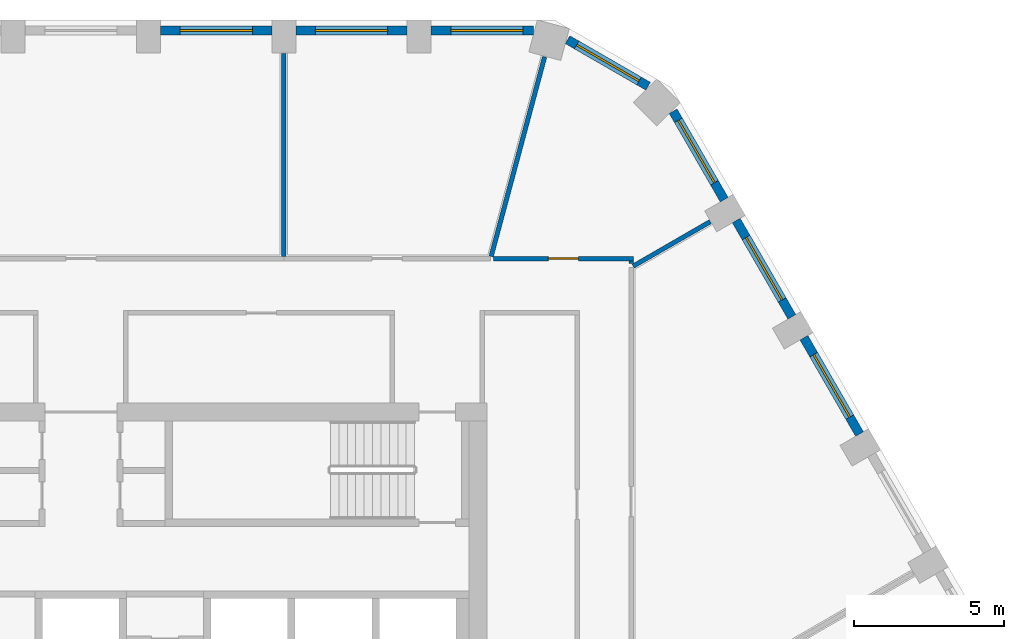
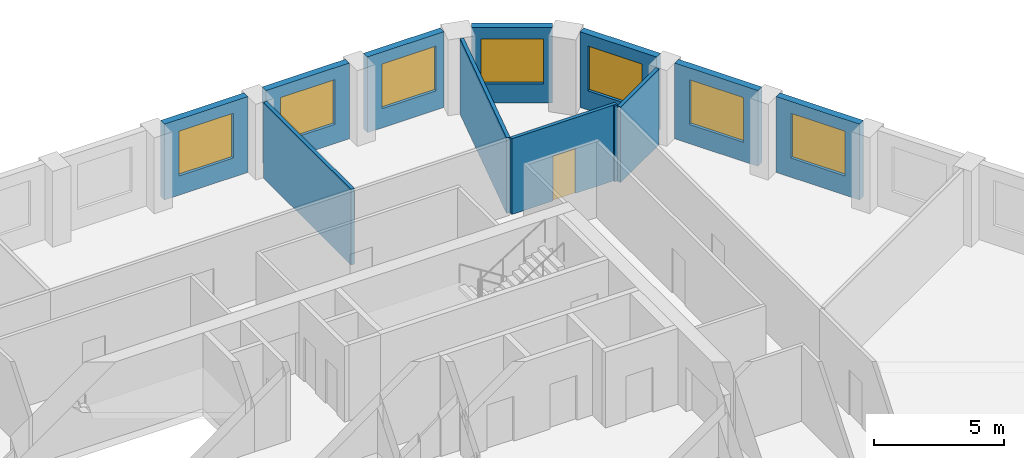
# One storey, part 7 of 13: 12 walls, 7 windows, 1 door, 8 openings.
"""IFC4 building model written with IfcOpenShell, lengths in metres."""

from ifc_helpers import new_model, si_unit, direction, frame, frame_2d, origin, place, context, subcontext, project, spatial, rectangle, extrude, material, layer, layer_set, type_object, element, fill, save


model = new_model("IFC4")

# Units and contexts
model_context = context("Model", 3, precision=1e-05, world=origin(), true_north=direction((0.0, 1.0)))
body_context = subcontext(model_context, "Body", "Model", "MODEL_VIEW")
ifc_project = project(units=[si_unit("LENGTHUNIT", "METRE"), si_unit("AREAUNIT", "SQUARE_METRE"), si_unit("VOLUMEUNIT", "CUBIC_METRE"), si_unit("PLANEANGLEUNIT", "RADIAN"), si_unit("MASSUNIT", "GRAM", prefix="KILO")], contexts=[model_context])

# Site, building, storey
site_placement = place(None, origin())
site = spatial("IfcSite", under=ifc_project, at=site_placement, CompositionType="ELEMENT")
building_placement = place(site_placement, origin())
building = spatial("IfcBuilding", under=site, at=building_placement, Name="Dhurran Vertical Campus", CompositionType="ELEMENT")
storey_placement = place(building_placement, frame((0.0, 0.0, 187.800048828125)))
storey = spatial("IfcBuildingStorey", under=building, at=storey_placement, Name="L46", CompositionType="ELEMENT", Elevation=187.800048828125)

# Wall, opening, window
ifc_material_1 = material(Name="Precast concrete C50/60", Category="concrete")
ifc_layer_1 = layer(ifc_material_1, 0.300048828125)
ifc_layer_set_1 = layer_set([ifc_layer_1], Name="Precast concrete C50/60")
wall_type_1 = type_object("IfcWallType", Name="Precast spandrel wall 300", PredefinedType="SOLIDWALL", material=ifc_layer_set_1)
wall_1_placement = place(storey_placement, frame((25.893798828125, 10.216064453125, 0.0), z_axis=(0.0, 0.0, 1.0), x_axis=(-0.500029062817, 0.866008623709, 0.0)))
wall_1 = element("IfcWall", 1, at=wall_1_placement, inside=storey, type_object=wall_type_1, Name="EW1 L46.16", PredefinedType="SOLIDWALL", context=body_context, shape_type="SweptSolid", body=[
    extrude(rectangle(XDim=3.698974609375, YDim=0.300048828125, at=frame_2d((1.849609375, 0.0))), origin(), (0.0, 0.0, 1.0), 3.550048828125),
])
opening_1_placement = place(wall_1_placement, frame((0.6494140625, 0.0, 0.89990234375)))
opening_1 = element("IfcOpeningElement", 2, at=opening_1_placement, cuts=wall_1, Name="Opening WT1", PredefinedType="OPENING", context=body_context, shape_type="SweptSolid", body=[
    extrude(rectangle(XDim=2.39990234375, YDim=2.10009765625, at=frame_2d((1.199951171875, 1.050048828125))), frame((0.0, 0.159912109375, 0.0), z_axis=(0.0, -1.0, 0.0), x_axis=(1.0, 0.0, 0.0)), (0.0, 0.0, 1.0), 0.320068359375),
])
ifc_material_2 = material(Name="Aluminium frame with solar-control glass", Category="aluminium")
window_type = type_object("IfcWindowType", Name="Punched window 2400 x 2100", PartitioningType="SINGLE_PANEL", PredefinedType="WINDOW", material=ifc_material_2)
window_1_placement = place(opening_1_placement, origin())
window_1 = element("IfcWindow", 3, at=window_1_placement, inside=storey, type_object=window_type, Name="WT1 L46.16", OverallHeight=2.10009765625, OverallWidth=2.39990234375, PartitioningType="SINGLE_PANEL", PredefinedType="WINDOW", context=body_context, shape_type="SweptSolid", body=[
    extrude(rectangle(XDim=2.39990234375, YDim=2.10009765625, at=frame_2d((1.199951171875, 1.050048828125))), frame((0.0, 0.030029296875, 0.0), z_axis=(0.0, -1.0, 0.0), x_axis=(1.0, 0.0, 0.0)), (0.0, 0.0, 1.0), 0.06005859375),
])
fill(opening_1, window_1)

wall_2_placement = place(storey_placement, frame((23.643798828125, 14.11328125, 0.0), z_axis=(0.0, 0.0, 1.0), x_axis=(-0.500029062817, 0.866008623709, 0.0)))
wall_2 = element("IfcWall", 4, at=wall_2_placement, inside=storey, type_object=wall_type_1, Name="EW1 L46.17", PredefinedType="SOLIDWALL", context=body_context, shape_type="SweptSolid", body=[
    extrude(rectangle(XDim=3.698974609375, YDim=0.300048828125, at=frame_2d((1.849609375, 0.0))), origin(), (0.0, 0.0, 1.0), 3.550048828125),
])
opening_2_placement = place(wall_2_placement, frame((0.6494140625, 0.0, 0.89990234375)))
opening_2 = element("IfcOpeningElement", 5, at=opening_2_placement, cuts=wall_2, Name="Opening WT1", PredefinedType="OPENING", context=body_context, shape_type="SweptSolid", body=[
    extrude(rectangle(XDim=2.39990234375, YDim=2.10009765625, at=frame_2d((1.199951171875, 1.050048828125))), frame((0.0, 0.159912109375, 0.0), z_axis=(0.0, -1.0, 0.0), x_axis=(1.0, 0.0, 0.0)), (0.0, 0.0, 1.0), 0.320068359375),
])
window_2_placement = place(opening_2_placement, origin())
window_2 = element("IfcWindow", 6, at=window_2_placement, inside=storey, type_object=window_type, Name="WT1 L46.17", OverallHeight=2.10009765625, OverallWidth=2.39990234375, PartitioningType="SINGLE_PANEL", PredefinedType="WINDOW", context=body_context, shape_type="SweptSolid", body=[
    extrude(rectangle(XDim=2.39990234375, YDim=2.10009765625, at=frame_2d((1.199951171875, 1.050048828125))), frame((0.0, 0.030029296875, 0.0), z_axis=(0.0, -1.0, 0.0), x_axis=(1.0, 0.0, 0.0)), (0.0, 0.0, 1.0), 0.06005859375),
])
fill(opening_2, window_2)

wall_3_placement = place(storey_placement, frame((21.393798828125, 18.01025390625, 0.0), z_axis=(0.0, 0.0, 1.0), x_axis=(-0.500012868213, 0.866017974191, 0.0)))
wall_3 = element("IfcWall", 7, at=wall_3_placement, inside=storey, type_object=wall_type_1, Name="EW1 L46.18", PredefinedType="SOLIDWALL", context=body_context, shape_type="SweptSolid", body=[
    extrude(rectangle(XDim=3.39599609375, YDim=0.300048828125, at=frame_2d((1.697998046875, 0.0))), origin(), (0.0, 0.0, 1.0), 3.550048828125),
])
opening_3_placement = place(wall_3_placement, frame((0.6494140625, 0.0, 0.89990234375)))
opening_3 = element("IfcOpeningElement", 8, at=opening_3_placement, cuts=wall_3, Name="Opening WT1", PredefinedType="OPENING", context=body_context, shape_type="SweptSolid", body=[
    extrude(rectangle(XDim=2.39990234375, YDim=2.10009765625, at=frame_2d((1.199951171875, 1.050048828125))), frame((0.0, 0.159912109375, 0.0), z_axis=(0.0, -1.0, 0.0), x_axis=(1.0, 0.0, 0.0)), (0.0, 0.0, 1.0), 0.320068359375),
])
window_3_placement = place(opening_3_placement, origin())
window_3 = element("IfcWindow", 9, at=window_3_placement, inside=storey, type_object=window_type, Name="WT1 L46.18", OverallHeight=2.10009765625, OverallWidth=2.39990234375, PartitioningType="SINGLE_PANEL", PredefinedType="WINDOW", context=body_context, shape_type="SweptSolid", body=[
    extrude(rectangle(XDim=2.39990234375, YDim=2.10009765625, at=frame_2d((1.199951171875, 1.050048828125))), frame((0.0, 0.030029296875, 0.0), z_axis=(0.0, -1.0, 0.0), x_axis=(1.0, 0.0, 0.0)), (0.0, 0.0, 1.0), 0.06005859375),
])
fill(opening_3, window_3)

wall_4_placement = place(storey_placement, frame((18.86279296875, 21.7841796875, 0.0), z_axis=(0.0, 0.0, 1.0), x_axis=(-0.865994975416, 0.500052699777, 0.0)))
wall_4 = element("IfcWall", 10, at=wall_4_placement, inside=storey, type_object=wall_type_1, Name="EW1 L46.19", PredefinedType="SOLIDWALL", context=body_context, shape_type="SweptSolid", body=[
    extrude(rectangle(XDim=3.093017578125, YDim=0.300048828125, at=frame_2d((1.54638671875, 0.0))), origin(), (0.0, 0.0, 1.0), 3.550048828125),
])
opening_4_placement = place(wall_4_placement, frame((0.34619140625, 0.0, 0.89990234375)))
opening_4 = element("IfcOpeningElement", 11, at=opening_4_placement, cuts=wall_4, Name="Opening WT1", PredefinedType="OPENING", context=body_context, shape_type="SweptSolid", body=[
    extrude(rectangle(XDim=2.39990234375, YDim=2.10009765625, at=frame_2d((1.199951171875, 1.050048828125))), frame((0.0, 0.159912109375, 0.0), z_axis=(0.0, -1.0, 0.0), x_axis=(1.0, 0.0, 0.0)), (0.0, 0.0, 1.0), 0.320068359375),
])
window_4_placement = place(opening_4_placement, origin())
window_4 = element("IfcWindow", 12, at=window_4_placement, inside=storey, type_object=window_type, Name="WT1 L46.19", OverallHeight=2.10009765625, OverallWidth=2.39990234375, PartitioningType="SINGLE_PANEL", PredefinedType="WINDOW", context=body_context, shape_type="SweptSolid", body=[
    extrude(rectangle(XDim=2.39990234375, YDim=2.10009765625, at=frame_2d((1.199951171875, 1.050048828125))), frame((0.0, 0.030029296875, 0.0), z_axis=(0.0, -1.0, 0.0), x_axis=(1.0, 0.0, 0.0)), (0.0, 0.0, 1.0), 0.06005859375),
])
fill(opening_4, window_4)

wall_5_placement = place(storey_placement, frame((15.04638671875, 23.635498046875, 0.0), z_axis=(0.0, 0.0, 1.0), x_axis=(-1.0, 0.0, 0.0)))
wall_5 = element("IfcWall", 13, at=wall_5_placement, inside=storey, type_object=wall_type_1, Name="EW1 L46.20", PredefinedType="SOLIDWALL", context=body_context, shape_type="SweptSolid", body=[
    extrude(rectangle(XDim=3.39599609375, YDim=0.300048828125, at=frame_2d((1.697998046875, 0.0))), origin(), (0.0, 0.0, 1.0), 3.550048828125),
])
opening_5_placement = place(wall_5_placement, frame((0.34619140625, 0.0, 0.89990234375)))
opening_5 = element("IfcOpeningElement", 14, at=opening_5_placement, cuts=wall_5, Name="Opening WT1", PredefinedType="OPENING", context=body_context, shape_type="SweptSolid", body=[
    extrude(rectangle(XDim=2.39990234375, YDim=2.10009765625, at=frame_2d((1.199951171875, 1.050048828125))), frame((0.0, 0.159912109375, 0.0), z_axis=(0.0, -1.0, 0.0), x_axis=(1.0, 0.0, 0.0)), (0.0, 0.0, 1.0), 0.320068359375),
])
window_5_placement = place(opening_5_placement, origin())
window_5 = element("IfcWindow", 15, at=window_5_placement, inside=storey, type_object=window_type, Name="WT1 L46.20", OverallHeight=2.10009765625, OverallWidth=2.39990234375, PartitioningType="SINGLE_PANEL", PredefinedType="WINDOW", context=body_context, shape_type="SweptSolid", body=[
    extrude(rectangle(XDim=2.39990234375, YDim=2.10009765625, at=frame_2d((1.199951171875, 1.050048828125))), frame((0.0, 0.030029296875, 0.0), z_axis=(0.0, -1.0, 0.0), x_axis=(1.0, 0.0, 0.0)), (0.0, 0.0, 1.0), 0.06005859375),
])
fill(opening_5, window_5)

wall_6_placement = place(storey_placement, frame((10.849609375, 23.635498046875, 0.0), z_axis=(0.0, 0.0, 1.0), x_axis=(-1.0, 0.0, 0.0)))
wall_6 = element("IfcWall", 16, at=wall_6_placement, inside=storey, type_object=wall_type_1, Name="EW1 L46.21", PredefinedType="SOLIDWALL", context=body_context, shape_type="SweptSolid", body=[
    extrude(rectangle(XDim=3.69921875, YDim=0.300048828125, at=frame_2d((1.849609375, 0.0))), origin(), (0.0, 0.0, 1.0), 3.550048828125),
])
opening_6_placement = place(wall_6_placement, frame((0.6494140625, 0.0, 0.89990234375)))
opening_6 = element("IfcOpeningElement", 17, at=opening_6_placement, cuts=wall_6, Name="Opening WT1", PredefinedType="OPENING", context=body_context, shape_type="SweptSolid", body=[
    extrude(rectangle(XDim=2.39990234375, YDim=2.10009765625, at=frame_2d((1.199951171875, 1.050048828125))), frame((0.0, 0.159912109375, 0.0), z_axis=(0.0, -1.0, 0.0), x_axis=(1.0, 0.0, 0.0)), (0.0, 0.0, 1.0), 0.320068359375),
])
window_6_placement = place(opening_6_placement, origin())
window_6 = element("IfcWindow", 18, at=window_6_placement, inside=storey, type_object=window_type, Name="WT1 L46.21", OverallHeight=2.10009765625, OverallWidth=2.39990234375, PartitioningType="SINGLE_PANEL", PredefinedType="WINDOW", context=body_context, shape_type="SweptSolid", body=[
    extrude(rectangle(XDim=2.39990234375, YDim=2.10009765625, at=frame_2d((1.199951171875, 1.050048828125))), frame((0.0, 0.030029296875, 0.0), z_axis=(0.0, -1.0, 0.0), x_axis=(1.0, 0.0, 0.0)), (0.0, 0.0, 1.0), 0.06005859375),
])
fill(opening_6, window_6)

wall_7_placement = place(storey_placement, frame((6.349609375, 23.635498046875, 0.0), z_axis=(0.0, 0.0, 1.0), x_axis=(-1.0, 0.0, 0.0)))
wall_7 = element("IfcWall", 19, at=wall_7_placement, inside=storey, type_object=wall_type_1, Name="EW1 L46.22", PredefinedType="SOLIDWALL", context=body_context, shape_type="SweptSolid", body=[
    extrude(rectangle(XDim=3.69921875, YDim=0.300048828125, at=frame_2d((1.849609375, 0.0))), origin(), (0.0, 0.0, 1.0), 3.550048828125),
])
opening_7_placement = place(wall_7_placement, frame((0.6494140625, 0.0, 0.89990234375)))
opening_7 = element("IfcOpeningElement", 20, at=opening_7_placement, cuts=wall_7, Name="Opening WT1", PredefinedType="OPENING", context=body_context, shape_type="SweptSolid", body=[
    extrude(rectangle(XDim=2.39990234375, YDim=2.10009765625, at=frame_2d((1.199951171875, 1.050048828125))), frame((0.0, 0.159912109375, 0.0), z_axis=(0.0, -1.0, 0.0), x_axis=(1.0, 0.0, 0.0)), (0.0, 0.0, 1.0), 0.320068359375),
])
window_7_placement = place(opening_7_placement, origin())
window_7 = element("IfcWindow", 21, at=window_7_placement, inside=storey, type_object=window_type, Name="WT1 L46.22", OverallHeight=2.10009765625, OverallWidth=2.39990234375, PartitioningType="SINGLE_PANEL", PredefinedType="WINDOW", context=body_context, shape_type="SweptSolid", body=[
    extrude(rectangle(XDim=2.39990234375, YDim=2.10009765625, at=frame_2d((1.199951171875, 1.050048828125))), frame((0.0, 0.030029296875, 0.0), z_axis=(0.0, -1.0, 0.0), x_axis=(1.0, 0.0, 0.0)), (0.0, 0.0, 1.0), 0.06005859375),
])
fill(opening_7, window_7)

# Wall, opening, door
ifc_material_3 = material(Name="Gypsum board corridor wall on steel studs", Category="steel")
ifc_layer_2 = layer(ifc_material_3, 0.14990234375)
ifc_layer_set_2 = layer_set([ifc_layer_2], Name="Gypsum board corridor wall on steel studs")
wall_type_2 = type_object("IfcWallType", Name="fl-CW-150 corridor wall", PredefinedType="PARTITIONING", material=ifc_layer_set_2)
wall_8_placement = place(storey_placement, frame((18.375, 16.050048828125, 0.0), z_axis=(0.0, 0.0, 1.0), x_axis=(-1.0, 0.0, 0.0)))
wall_8 = element("IfcWall", 22, at=wall_8_placement, inside=storey, type_object=wall_type_2, Name="Partition 46-53", PredefinedType="PARTITIONING", context=body_context, shape_type="SweptSolid", body=[
    extrude(rectangle(XDim=4.656005859375, YDim=0.14990234375, at=frame_2d((2.328125, 0.0))), origin(), (0.0, 0.0, 1.0), 3.550048828125),
])
opening_8_placement = place(wall_8_placement, frame((1.827880859375, 0.0, 0.0)))
opening_8 = element("IfcOpeningElement", 23, at=opening_8_placement, cuts=wall_8, Name="Opening T13.20", PredefinedType="OPENING", context=body_context, shape_type="SweptSolid", body=[
    extrude(rectangle(XDim=1.0, YDim=2.10009765625, at=frame_2d((0.5, 1.050048828125))), frame((0.0, 0.0849609375, 0.0), z_axis=(0.0, -1.0, 0.0), x_axis=(1.0, 0.0, 0.0)), (0.0, 0.0, 1.0), 0.169921875),
])
ifc_material_4 = material(Name="Solid-core timber door set, fire-rated", Category="wood")
door_type = type_object("IfcDoorType", Name="fl-D-1000x2100", OperationType="SINGLE_SWING_LEFT", PredefinedType="DOOR", material=ifc_material_4)
door_placement = place(opening_8_placement, origin())
door = element("IfcDoor", 24, at=door_placement, inside=storey, type_object=door_type, Name="Door 46.20", OperationType="SINGLE_SWING_RIGHT", OverallHeight=2.10009765625, OverallWidth=1.0, PredefinedType="DOOR", context=body_context, shape_type="SweptSolid", body=[
    extrude(rectangle(XDim=1.0, YDim=2.10009765625, at=frame_2d((0.5, 1.050048828125))), frame((0.0, 0.02490234375, 0.0), z_axis=(0.0, -1.0, 0.0), x_axis=(1.0, 0.0, 0.0)), (0.0, 0.0, 1.0), 0.050048828125),
])
fill(opening_8, door)

# Walls
wall_9_placement = place(storey_placement, frame((18.300048828125, 15.89208984375, 0.0), z_axis=(0.0, 0.0, 1.0), x_axis=(0.0, 1.0, 0.0)))
element("IfcWall", 25, at=wall_9_placement, inside=storey, type_object=wall_type_2, Name="Partition 46-61", PredefinedType="PARTITIONING", context=body_context, shape_type="SweptSolid", body=[
    extrude(rectangle(XDim=0.0830078125, YDim=0.14990234375, at=frame_2d((0.04150390625, 0.0))), origin(), (0.0, 0.0, 1.0), 3.550048828125),
])
ifc_material_5 = material(Name="Gypsum board partition on steel studs", Category="steel")
ifc_layer_3 = layer(ifc_material_5, 0.14990234375)
ifc_layer_set_3 = layer_set([ifc_layer_3], Name="Gypsum board partition on steel studs")
wall_type_3 = type_object("IfcWallType", Name="fl-PW-150 fixed partition", PredefinedType="PARTITIONING", material=ifc_layer_set_3)
wall_10_placement = place(storey_placement, frame((6.75, 22.865478515625, 0.0), z_axis=(0.0, 0.0, 1.0), x_axis=(0.0, -1.0, 0.0)))
element("IfcWall", 26, at=wall_10_placement, inside=storey, type_object=wall_type_3, Name="Partition 46-40", PredefinedType="PARTITIONING", context=body_context, shape_type="SweptSolid", body=[
    extrude(rectangle(XDim=6.740478515625, YDim=0.14990234375, at=frame_2d((3.3701171875, 0.0))), origin(), (0.0, 0.0, 1.0), 3.550048828125),
])
wall_11_placement = place(storey_placement, frame((15.422119140625, 22.76123046875, 0.0), z_axis=(0.0, 0.0, 1.0), x_axis=(-0.258807697684, -0.965928866749, 0.0)))
element("IfcWall", 27, at=wall_11_placement, inside=storey, type_object=wall_type_3, Name="Partition 46-52", PredefinedType="PARTITIONING", context=body_context, shape_type="SweptSolid", body=[
    extrude(rectangle(XDim=6.873046875, YDim=0.14990234375, at=frame_2d((3.4365234375, 0.0))), origin(), (0.0, 0.0, 1.0), 3.550048828125),
])
wall_12_placement = place(storey_placement, frame((20.92724609375, 17.2783203125, 0.0), z_axis=(0.0, 0.0, 1.0), x_axis=(-0.866107263007, -0.499858188855, 0.0)))
element("IfcWall", 28, at=wall_12_placement, inside=storey, type_object=wall_type_3, Name="Partition 46-62", PredefinedType="PARTITIONING", context=body_context, shape_type="SweptSolid", body=[
    extrude(rectangle(XDim=2.958251953125, YDim=0.14990234375, at=frame_2d((1.47900390625, 0.0))), origin(), (0.0, 0.0, 1.0), 3.550048828125),
])

save(model, "model.ifc")
